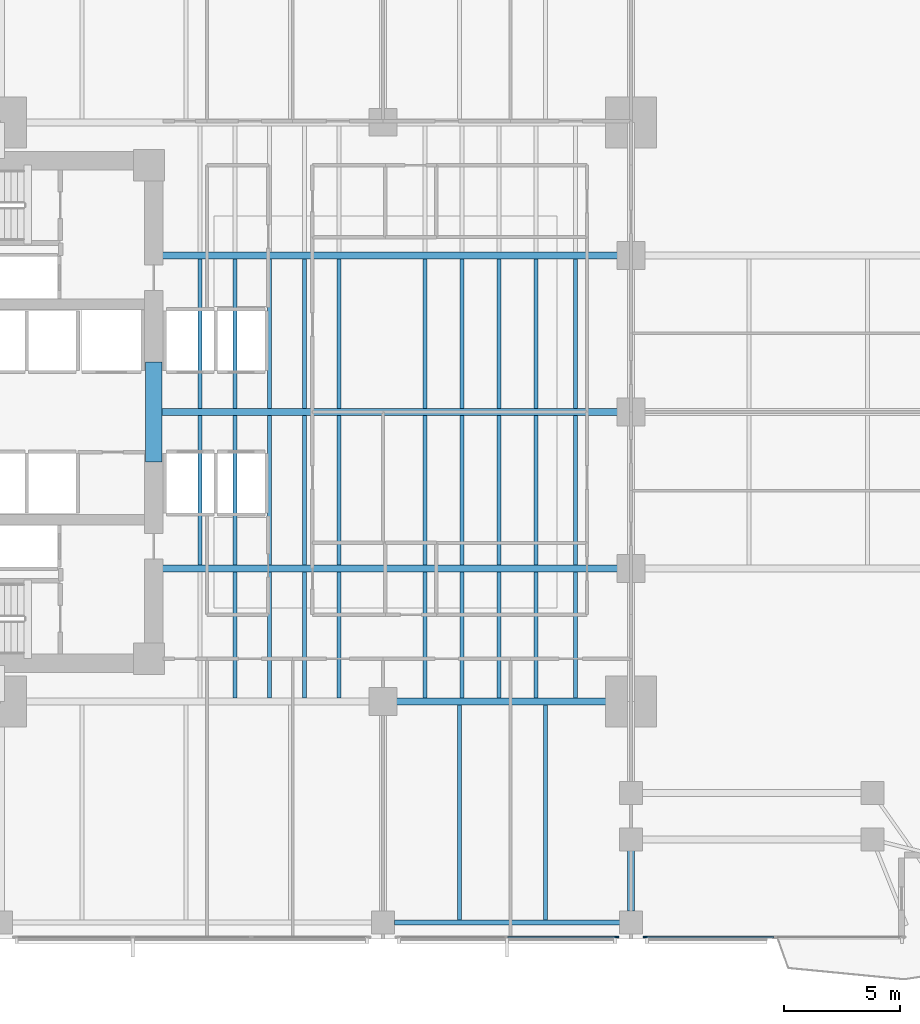
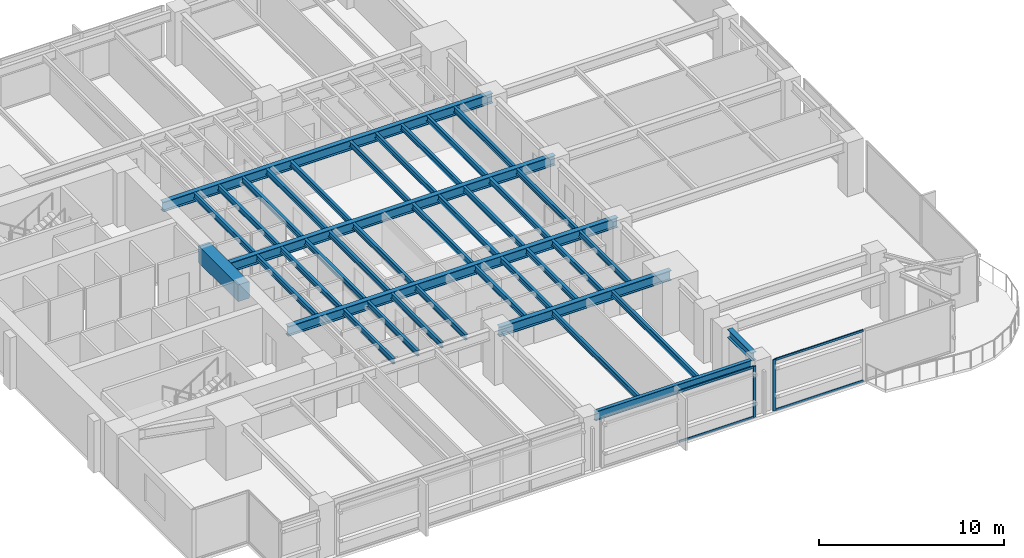
# One storey, part 3 of 15: 38 beams, 6 members, 2 elements without a shape of their own.
"""IFC4 building model written with IfcOpenShell, lengths in metres."""

from ifc_helpers import new_model, si_unit, direction, frame, origin, origin_2d, place, context, subcontext, project, spatial, rectangle, i_section, extrude, material, layer, layer_set, material_profile, profile_set, type_object, element, aggregate, save


model = new_model("IFC4")

# Units and contexts
model_context = context("Model", 3, precision=1e-05, world=origin(), true_north=direction((0.0, 1.0)))
body_context = subcontext(model_context, "Body", "Model", "MODEL_VIEW")
ifc_project = project(units=[si_unit("LENGTHUNIT", "METRE"), si_unit("AREAUNIT", "SQUARE_METRE"), si_unit("VOLUMEUNIT", "CUBIC_METRE"), si_unit("PLANEANGLEUNIT", "RADIAN"), si_unit("MASSUNIT", "GRAM", prefix="KILO")], contexts=[model_context])

# Site, building, storey
site_placement = place(None, origin())
site = spatial("IfcSite", under=ifc_project, at=site_placement, CompositionType="ELEMENT")
building_placement = place(site_placement, origin())
building = spatial("IfcBuilding", under=site, at=building_placement, Name="Kinhvarn Gate Tower", CompositionType="ELEMENT")
storey_placement = place(building_placement, frame((0.0, 0.0, 61.10009765625)))
storey = spatial("IfcBuildingStorey", under=building, at=storey_placement, Name="L15", CompositionType="ELEMENT", Elevation=61.10009765625)

# Beam
ifc_material_1 = material(Name="Concrete C70/85", Category="concrete")
ifc_material_profile_1 = material_profile(ifc_material_1, rectangle(XDim=0.699951171875, YDim=1.10009765625, at=origin_2d()), Name="RC 700x1100")
ifc_profile_set_1 = profile_set([ifc_material_profile_1], Name="Concrete C70/85")
beam_type_1 = type_object("IfcBeamType", Name="BM-CB-1100", PredefinedType="LINTEL", material=ifc_profile_set_1)
beam_1_placement = place(storey_placement, frame((17.60009765625, 23.10009765625, 2.81982421875), z_axis=(0.0, 1.0, 0.0), x_axis=(-1.0, 0.0, 0.0)))
element("IfcBeam", 1, at=beam_1_placement, inside=storey, type_object=beam_type_1, Name="Core East Portal Coupling Beam L15", PredefinedType="LINTEL", context=body_context, shape_type="SweptSolid", body=[
    extrude(rectangle(XDim=0.699951171875, YDim=1.10009765625, at=origin_2d()), origin(), (0.0, 0.0, 1.0), 4.2998046875),
])

# Curtain wall, member
ifc_material_2 = material(Name="Anodised aluminium AW-6063", Category="aluminium")
ifc_layer = layer(ifc_material_2, 0.179931640625)
ifc_layer_set = layer_set([ifc_layer], Name="Anodised aluminium AW-6063")
curtain_wall_type = type_object("IfcCurtainWallType", Name="CW-SYS-2", PredefinedType="NOTDEFINED", material=ifc_layer_set)
curtain_wall_1_placement = place(storey_placement, origin())
curtain_wall_1 = element("IfcCurtainWall", 2, at=curtain_wall_1_placement, inside=storey, type_object=curtain_wall_type, Name="Curtain Wall CW2 (L15)", PredefinedType="NOTDEFINED")
ifc_material_profile_2 = material_profile(ifc_material_2, rectangle(XDim=0.070068359375, YDim=0.179931640625, at=origin_2d()), Name="ALU 70x180")
ifc_profile_set_2 = profile_set([ifc_material_profile_2], Name="Anodised aluminium AW-6063")
member_type_1 = type_object("IfcMemberType", Name="CW-MUL-180", PredefinedType="MULLION", material=ifc_profile_set_2)
member_1_placement = place(storey_placement, frame((37.5849609375, 2.590087890625, 0.0), z_axis=(0.0, 0.0, 1.0), x_axis=(0.0, 1.0, 0.0)))
member_1 = element("IfcMember", 3, at=member_1_placement, type_object=member_type_1, Name="CW2 mullion 3", PredefinedType="MULLION", context=body_context, shape_type="SweptSolid", body=[
    extrude(rectangle(XDim=0.070068359375, YDim=0.179931640625, at=origin_2d()), origin(), (0.0, 0.0, 1.0), 3.369873046875),
])

curtain_wall_2_placement = place(storey_placement, origin())
curtain_wall_2 = element("IfcCurtainWall", 4, at=curtain_wall_2_placement, inside=storey, type_object=curtain_wall_type, Name="Curtain Wall CW2 (L15)", PredefinedType="NOTDEFINED")
member_2_placement = place(storey_placement, frame((38.81494140625, 2.590087890625, 0.0), z_axis=(0.0, 0.0, 1.0), x_axis=(0.0, 1.0, 0.0)))
member_2 = element("IfcMember", 5, at=member_2_placement, type_object=member_type_1, Name="CW2 mullion 1", PredefinedType="MULLION", context=body_context, shape_type="SweptSolid", body=[
    extrude(rectangle(XDim=0.070068359375, YDim=0.179931640625, at=origin_2d()), origin(), (0.0, 0.0, 1.0), 3.369873046875),
])

# Member
ifc_material_profile_3 = material_profile(ifc_material_2, rectangle(XDim=0.070068359375, YDim=0.139892578125, at=origin_2d()), Name="ALU 70x140")
ifc_profile_set_3 = profile_set([ifc_material_profile_3], Name="Anodised aluminium AW-6063")
member_type_2 = type_object("IfcMemberType", Name="CW-TRN-140", PredefinedType="USERDEFINED", material=ifc_profile_set_3)
member_3_placement = place(storey_placement, frame((32.885009765625, 2.590087890625, 0.034912109375), z_axis=(1.0, 0.0, 0.0), x_axis=(0.0, 1.0, 0.0)))
member_3 = element("IfcMember", 6, at=member_3_placement, type_object=member_type_2, Name="CW2 transom 2.1", ObjectType="TRANSOM", PredefinedType="USERDEFINED", context=body_context, shape_type="SweptSolid", body=[
    extrude(rectangle(XDim=0.070068359375, YDim=0.139892578125, at=origin_2d()), origin(), (0.0, 0.0, 1.0), 4.6650390625),
])

member_4_placement = place(storey_placement, frame((32.885009765625, 2.590087890625, 3.3349609375), z_axis=(1.0, 0.0, 0.0), x_axis=(0.0, 1.0, 0.0)))
member_4 = element("IfcMember", 7, at=member_4_placement, type_object=member_type_2, Name="CW2 transom 2.2", ObjectType="TRANSOM", PredefinedType="USERDEFINED", context=body_context, shape_type="SweptSolid", body=[
    extrude(rectangle(XDim=0.070068359375, YDim=0.139892578125, at=origin_2d()), origin(), (0.0, 0.0, 1.0), 4.6650390625),
])

aggregate(curtain_wall_1, [member_1, member_3, member_4])

member_5_placement = place(storey_placement, frame((38.85009765625, 2.590087890625, 0.034912109375), z_axis=(1.0, 0.0, 0.0), x_axis=(0.0, 1.0, 0.0)))
member_5 = element("IfcMember", 8, at=member_5_placement, type_object=member_type_2, Name="CW2 transom 1.1", ObjectType="TRANSOM", PredefinedType="USERDEFINED", context=body_context, shape_type="SweptSolid", body=[
    extrude(rectangle(XDim=0.070068359375, YDim=0.139892578125, at=origin_2d()), origin(), (0.0, 0.0, 1.0), 5.5048828125),
])

member_6_placement = place(storey_placement, frame((38.85009765625, 2.590087890625, 3.3349609375), z_axis=(1.0, 0.0, 0.0), x_axis=(0.0, 1.0, 0.0)))
member_6 = element("IfcMember", 9, at=member_6_placement, type_object=member_type_2, Name="CW2 transom 1.2", ObjectType="TRANSOM", PredefinedType="USERDEFINED", context=body_context, shape_type="SweptSolid", body=[
    extrude(rectangle(XDim=0.070068359375, YDim=0.139892578125, at=origin_2d()), origin(), (0.0, 0.0, 1.0), 5.5048828125),
])

aggregate(curtain_wall_2, [member_2, member_5, member_6])

# Beams
ifc_material_3 = material(Name="Steel S355", Category="steel")
ifc_material_profile_4 = material_profile(ifc_material_3, i_section(OverallWidth=0.300048828125, OverallDepth=0.550048828125, WebThickness=0.014892578125, FlangeThickness=0.029052734375, at=origin_2d()), Name="HEB 550")
ifc_profile_set_4 = profile_set([ifc_material_profile_4], Name="Steel S355")
beam_type_2 = type_object("IfcBeamType", Name="STL-HEB550", PredefinedType="BEAM", material=ifc_profile_set_4)
beam_2_placement = place(storey_placement, frame((38.199951171875, 3.705078125, 3.094970703125), z_axis=(0.0, 1.0, 0.0), x_axis=(-1.0, 0.0, 0.0)))
element("IfcBeam", 10, at=beam_2_placement, inside=storey, type_object=beam_type_2, Name="Floor Beam PG-15 (L15 MCE-S-A0)", PredefinedType="BEAM", context=body_context, shape_type="SweptSolid", body=[
    extrude(i_section(OverallWidth=0.300048828125, OverallDepth=0.550048828125, WebThickness=0.014892578125, FlangeThickness=0.029052734375, at=origin_2d()), origin(), (0.0, 0.0, 1.0), 2.60986328125),
])
ifc_material_profile_5 = material_profile(ifc_material_3, i_section(OverallWidth=0.300048828125, OverallDepth=0.64990234375, WebThickness=0.01611328125, FlangeThickness=0.031005859375, at=origin_2d()), Name="HEB 650")
ifc_profile_set_5 = profile_set([ifc_material_profile_5], Name="Steel S355")
beam_type_3 = type_object("IfcBeamType", Name="STL-HEB650", PredefinedType="BEAM", material=ifc_profile_set_5)
beam_3_placement = place(storey_placement, frame((27.5, 12.75, 3.044921875), z_axis=(1.0, 0.0, 0.0), x_axis=(0.0, 1.0, 0.0)))
element("IfcBeam", 11, at=beam_3_placement, inside=storey, type_object=beam_type_3, Name="Floor Beam PG-17 (L15 MG-S2)", PredefinedType="BEAM", context=body_context, shape_type="SweptSolid", body=[
    extrude(i_section(OverallWidth=0.300048828125, OverallDepth=0.64990234375, WebThickness=0.01611328125, FlangeThickness=0.031005859375, at=origin_2d()), origin(), (0.0, 0.0, 1.0), 10.699951171875),
])
beam_4_placement = place(storey_placement, frame((17.64990234375, 18.5, 3.044921875), z_axis=(1.0, 0.0, 0.0), x_axis=(0.0, 1.0, 0.0)))
element("IfcBeam", 12, at=beam_4_placement, inside=storey, type_object=beam_type_3, Name="Floor Beam PG-17 (L15 EW1-Y18)", PredefinedType="BEAM", context=body_context, shape_type="SweptSolid", body=[
    extrude(i_section(OverallWidth=0.300048828125, OverallDepth=0.64990234375, WebThickness=0.01611328125, FlangeThickness=0.031005859375, at=origin_2d()), origin(), (0.0, 0.0, 1.0), 20.550048828125),
])
beam_5_placement = place(storey_placement, frame((17.949951171875, 25.25, 3.044921875), z_axis=(1.0, 0.0, 0.0), x_axis=(0.0, 1.0, 0.0)))
element("IfcBeam", 13, at=beam_5_placement, inside=storey, type_object=beam_type_3, Name="Floor Beam PG-17 (L15 EW1-Y25)", PredefinedType="BEAM", context=body_context, shape_type="SweptSolid", body=[
    extrude(i_section(OverallWidth=0.300048828125, OverallDepth=0.64990234375, WebThickness=0.01611328125, FlangeThickness=0.031005859375, at=origin_2d()), origin(), (0.0, 0.0, 1.0), 20.25),
])
beam_6_placement = place(storey_placement, frame((17.64990234375, 32.0, 3.044921875), z_axis=(1.0, 0.0, 0.0), x_axis=(0.0, 1.0, 0.0)))
element("IfcBeam", 14, at=beam_6_placement, inside=storey, type_object=beam_type_3, Name="Floor Beam PG-17 (L15 EW1-Y32)", PredefinedType="BEAM", context=body_context, shape_type="SweptSolid", body=[
    extrude(i_section(OverallWidth=0.300048828125, OverallDepth=0.64990234375, WebThickness=0.01611328125, FlangeThickness=0.031005859375, at=origin_2d()), origin(), (0.0, 0.0, 1.0), 20.550048828125),
])
ifc_material_profile_6 = material_profile(ifc_material_3, i_section(OverallWidth=0.169921875, OverallDepth=0.360107421875, WebThickness=0.008056640625, FlangeThickness=0.0126953125, at=origin_2d()), Name="IPE 360")
ifc_profile_set_6 = profile_set([ifc_material_profile_6], Name="Steel S355")
beam_type_4 = type_object("IfcBeamType", Name="STL-IPE360", PredefinedType="JOIST", material=ifc_profile_set_6)
for number, where, z_axis, x_axis, name in (
    (15, (19.60009765625, 18.64990234375, 3.18994140625), (0.0, 1.0, 0.0), (-1.0, 0.0, 0.0), "Floor Joist SB-04 (L15 JC-X196-1)"),
    (16, (19.60009765625, 25.39990234375, 3.18994140625), (0.0, 1.0, 0.0), (-1.0, 0.0, 0.0), "Floor Joist SB-04 (L15 JC-X196-2)"),
):
    element("IfcBeam", number, at=place(storey_placement, frame(where, z_axis=z_axis, x_axis=x_axis)), inside=storey, type_object=beam_type_4, Name=name, PredefinedType="JOIST", context=body_context, shape_type="SweptSolid", body=[
        extrude(i_section(OverallWidth=0.169921875, OverallDepth=0.360107421875, WebThickness=0.008056640625, FlangeThickness=0.0126953125, at=origin_2d()), origin(), (0.0, 0.0, 1.0), 6.4501953125),
    ])
beam_7_placement = place(storey_placement, frame((21.10009765625, 12.89990234375, 3.18994140625), z_axis=(0.0, 1.0, 0.0), x_axis=(-1.0, 0.0, 0.0)))
element("IfcBeam", 17, at=beam_7_placement, inside=storey, type_object=beam_type_4, Name="Floor Joist SB-04 (L15 JC-X211-0)", PredefinedType="JOIST", context=body_context, shape_type="SweptSolid", body=[
    extrude(i_section(OverallWidth=0.169921875, OverallDepth=0.360107421875, WebThickness=0.008056640625, FlangeThickness=0.0126953125, at=origin_2d()), origin(), (0.0, 0.0, 1.0), 5.4501953125),
])
for number, where, z_axis, x_axis, name in (
    (18, (21.10009765625, 18.64990234375, 3.18994140625), (0.0, 1.0, 0.0), (-1.0, 0.0, 0.0), "Floor Joist SB-04 (L15 JC-X211-1)"),
    (19, (21.10009765625, 25.39990234375, 3.18994140625), (0.0, 1.0, 0.0), (-1.0, 0.0, 0.0), "Floor Joist SB-04 (L15 JC-X211-2)"),
):
    element("IfcBeam", number, at=place(storey_placement, frame(where, z_axis=z_axis, x_axis=x_axis)), inside=storey, type_object=beam_type_4, Name=name, PredefinedType="JOIST", context=body_context, shape_type="SweptSolid", body=[
        extrude(i_section(OverallWidth=0.169921875, OverallDepth=0.360107421875, WebThickness=0.008056640625, FlangeThickness=0.0126953125, at=origin_2d()), origin(), (0.0, 0.0, 1.0), 6.4501953125),
    ])
beam_8_placement = place(storey_placement, frame((22.60009765625, 12.89990234375, 3.18994140625), z_axis=(0.0, 1.0, 0.0), x_axis=(-1.0, 0.0, 0.0)))
element("IfcBeam", 20, at=beam_8_placement, inside=storey, type_object=beam_type_4, Name="Floor Joist SB-04 (L15 JC-X226-0)", PredefinedType="JOIST", context=body_context, shape_type="SweptSolid", body=[
    extrude(i_section(OverallWidth=0.169921875, OverallDepth=0.360107421875, WebThickness=0.008056640625, FlangeThickness=0.0126953125, at=origin_2d()), origin(), (0.0, 0.0, 1.0), 5.4501953125),
])
for number, where, z_axis, x_axis, name in (
    (21, (22.60009765625, 18.64990234375, 3.18994140625), (0.0, 1.0, 0.0), (-1.0, 0.0, 0.0), "Floor Joist SB-04 (L15 JC-X226-1)"),
    (22, (22.60009765625, 25.39990234375, 3.18994140625), (0.0, 1.0, 0.0), (-1.0, 0.0, 0.0), "Floor Joist SB-04 (L15 JC-X226-2)"),
):
    element("IfcBeam", number, at=place(storey_placement, frame(where, z_axis=z_axis, x_axis=x_axis)), inside=storey, type_object=beam_type_4, Name=name, PredefinedType="JOIST", context=body_context, shape_type="SweptSolid", body=[
        extrude(i_section(OverallWidth=0.169921875, OverallDepth=0.360107421875, WebThickness=0.008056640625, FlangeThickness=0.0126953125, at=origin_2d()), origin(), (0.0, 0.0, 1.0), 6.4501953125),
    ])
beam_9_placement = place(storey_placement, frame((24.10009765625, 12.89990234375, 3.18994140625), z_axis=(0.0, 1.0, 0.0), x_axis=(-1.0, 0.0, 0.0)))
element("IfcBeam", 23, at=beam_9_placement, inside=storey, type_object=beam_type_4, Name="Floor Joist SB-04 (L15 JC-X241-0)", PredefinedType="JOIST", context=body_context, shape_type="SweptSolid", body=[
    extrude(i_section(OverallWidth=0.169921875, OverallDepth=0.360107421875, WebThickness=0.008056640625, FlangeThickness=0.0126953125, at=origin_2d()), origin(), (0.0, 0.0, 1.0), 5.4501953125),
])
for number, where, z_axis, x_axis, name in (
    (24, (24.10009765625, 18.64990234375, 3.18994140625), (0.0, 1.0, 0.0), (-1.0, 0.0, 0.0), "Floor Joist SB-04 (L15 JC-X241-1)"),
    (25, (24.10009765625, 25.39990234375, 3.18994140625), (0.0, 1.0, 0.0), (-1.0, 0.0, 0.0), "Floor Joist SB-04 (L15 JC-X241-2)"),
):
    element("IfcBeam", number, at=place(storey_placement, frame(where, z_axis=z_axis, x_axis=x_axis)), inside=storey, type_object=beam_type_4, Name=name, PredefinedType="JOIST", context=body_context, shape_type="SweptSolid", body=[
        extrude(i_section(OverallWidth=0.169921875, OverallDepth=0.360107421875, WebThickness=0.008056640625, FlangeThickness=0.0126953125, at=origin_2d()), origin(), (0.0, 0.0, 1.0), 6.4501953125),
    ])
beam_10_placement = place(storey_placement, frame((25.60009765625, 12.89990234375, 3.18994140625), z_axis=(0.0, 1.0, 0.0), x_axis=(-1.0, 0.0, 0.0)))
element("IfcBeam", 26, at=beam_10_placement, inside=storey, type_object=beam_type_4, Name="Floor Joist SB-04 (L15 JC-X256-0)", PredefinedType="JOIST", context=body_context, shape_type="SweptSolid", body=[
    extrude(i_section(OverallWidth=0.169921875, OverallDepth=0.360107421875, WebThickness=0.008056640625, FlangeThickness=0.0126953125, at=origin_2d()), origin(), (0.0, 0.0, 1.0), 5.4501953125),
])
for number, where, z_axis, x_axis, name in (
    (27, (25.60009765625, 18.64990234375, 3.18994140625), (0.0, 1.0, 0.0), (-1.0, 0.0, 0.0), "Floor Joist SB-04 (L15 JC-X256-1)"),
    (28, (25.60009765625, 25.39990234375, 3.18994140625), (0.0, 1.0, 0.0), (-1.0, 0.0, 0.0), "Floor Joist SB-04 (L15 JC-X256-2)"),
):
    element("IfcBeam", number, at=place(storey_placement, frame(where, z_axis=z_axis, x_axis=x_axis)), inside=storey, type_object=beam_type_4, Name=name, PredefinedType="JOIST", context=body_context, shape_type="SweptSolid", body=[
        extrude(i_section(OverallWidth=0.169921875, OverallDepth=0.360107421875, WebThickness=0.008056640625, FlangeThickness=0.0126953125, at=origin_2d()), origin(), (0.0, 0.0, 1.0), 6.4501953125),
    ])
beam_11_placement = place(storey_placement, frame((29.300048828125, 12.89990234375, 3.18994140625), z_axis=(0.0, 1.0, 0.0), x_axis=(-1.0, 0.0, 0.0)))
element("IfcBeam", 29, at=beam_11_placement, inside=storey, type_object=beam_type_4, Name="Floor Joist SB-04 (L15 JC-X293-0)", PredefinedType="JOIST", context=body_context, shape_type="SweptSolid", body=[
    extrude(i_section(OverallWidth=0.169921875, OverallDepth=0.360107421875, WebThickness=0.008056640625, FlangeThickness=0.0126953125, at=origin_2d()), origin(), (0.0, 0.0, 1.0), 5.4501953125),
])
for number, where, z_axis, x_axis, name in (
    (30, (29.300048828125, 18.64990234375, 3.18994140625), (0.0, 1.0, 0.0), (-1.0, 0.0, 0.0), "Floor Joist SB-04 (L15 JC-X293-1)"),
    (31, (29.300048828125, 25.39990234375, 3.18994140625), (0.0, 1.0, 0.0), (-1.0, 0.0, 0.0), "Floor Joist SB-04 (L15 JC-X293-2)"),
):
    element("IfcBeam", number, at=place(storey_placement, frame(where, z_axis=z_axis, x_axis=x_axis)), inside=storey, type_object=beam_type_4, Name=name, PredefinedType="JOIST", context=body_context, shape_type="SweptSolid", body=[
        extrude(i_section(OverallWidth=0.169921875, OverallDepth=0.360107421875, WebThickness=0.008056640625, FlangeThickness=0.0126953125, at=origin_2d()), origin(), (0.0, 0.0, 1.0), 6.4501953125),
    ])
beam_12_placement = place(storey_placement, frame((30.89990234375, 12.89990234375, 3.18994140625), z_axis=(0.0, 1.0, 0.0), x_axis=(-1.0, 0.0, 0.0)))
element("IfcBeam", 32, at=beam_12_placement, inside=storey, type_object=beam_type_4, Name="Floor Joist SB-04 (L15 JC-X309-0)", PredefinedType="JOIST", context=body_context, shape_type="SweptSolid", body=[
    extrude(i_section(OverallWidth=0.169921875, OverallDepth=0.360107421875, WebThickness=0.008056640625, FlangeThickness=0.0126953125, at=origin_2d()), origin(), (0.0, 0.0, 1.0), 5.4501953125),
])
for number, where, z_axis, x_axis, name in (
    (33, (30.89990234375, 18.64990234375, 3.18994140625), (0.0, 1.0, 0.0), (-1.0, 0.0, 0.0), "Floor Joist SB-04 (L15 JC-X309-1)"),
    (34, (30.89990234375, 25.39990234375, 3.18994140625), (0.0, 1.0, 0.0), (-1.0, 0.0, 0.0), "Floor Joist SB-04 (L15 JC-X309-2)"),
):
    element("IfcBeam", number, at=place(storey_placement, frame(where, z_axis=z_axis, x_axis=x_axis)), inside=storey, type_object=beam_type_4, Name=name, PredefinedType="JOIST", context=body_context, shape_type="SweptSolid", body=[
        extrude(i_section(OverallWidth=0.169921875, OverallDepth=0.360107421875, WebThickness=0.008056640625, FlangeThickness=0.0126953125, at=origin_2d()), origin(), (0.0, 0.0, 1.0), 6.4501953125),
    ])
beam_13_placement = place(storey_placement, frame((32.5, 12.89990234375, 3.18994140625), z_axis=(0.0, 1.0, 0.0), x_axis=(-1.0, 0.0, 0.0)))
element("IfcBeam", 35, at=beam_13_placement, inside=storey, type_object=beam_type_4, Name="Floor Joist SB-04 (L15 JC-X325-0)", PredefinedType="JOIST", context=body_context, shape_type="SweptSolid", body=[
    extrude(i_section(OverallWidth=0.169921875, OverallDepth=0.360107421875, WebThickness=0.008056640625, FlangeThickness=0.0126953125, at=origin_2d()), origin(), (0.0, 0.0, 1.0), 5.4501953125),
])
for number, where, z_axis, x_axis, name in (
    (36, (32.5, 18.64990234375, 3.18994140625), (0.0, 1.0, 0.0), (-1.0, 0.0, 0.0), "Floor Joist SB-04 (L15 JC-X325-1)"),
    (37, (32.5, 25.39990234375, 3.18994140625), (0.0, 1.0, 0.0), (-1.0, 0.0, 0.0), "Floor Joist SB-04 (L15 JC-X325-2)"),
):
    element("IfcBeam", number, at=place(storey_placement, frame(where, z_axis=z_axis, x_axis=x_axis)), inside=storey, type_object=beam_type_4, Name=name, PredefinedType="JOIST", context=body_context, shape_type="SweptSolid", body=[
        extrude(i_section(OverallWidth=0.169921875, OverallDepth=0.360107421875, WebThickness=0.008056640625, FlangeThickness=0.0126953125, at=origin_2d()), origin(), (0.0, 0.0, 1.0), 6.4501953125),
    ])
beam_14_placement = place(storey_placement, frame((34.10009765625, 12.89990234375, 3.18994140625), z_axis=(0.0, 1.0, 0.0), x_axis=(-1.0, 0.0, 0.0)))
element("IfcBeam", 38, at=beam_14_placement, inside=storey, type_object=beam_type_4, Name="Floor Joist SB-04 (L15 JC-X341-0)", PredefinedType="JOIST", context=body_context, shape_type="SweptSolid", body=[
    extrude(i_section(OverallWidth=0.169921875, OverallDepth=0.360107421875, WebThickness=0.008056640625, FlangeThickness=0.0126953125, at=origin_2d()), origin(), (0.0, 0.0, 1.0), 5.4501953125),
])
for number, where, z_axis, x_axis, name in (
    (39, (34.10009765625, 18.64990234375, 3.18994140625), (0.0, 1.0, 0.0), (-1.0, 0.0, 0.0), "Floor Joist SB-04 (L15 JC-X341-1)"),
    (40, (34.10009765625, 25.39990234375, 3.18994140625), (0.0, 1.0, 0.0), (-1.0, 0.0, 0.0), "Floor Joist SB-04 (L15 JC-X341-2)"),
):
    element("IfcBeam", number, at=place(storey_placement, frame(where, z_axis=z_axis, x_axis=x_axis)), inside=storey, type_object=beam_type_4, Name=name, PredefinedType="JOIST", context=body_context, shape_type="SweptSolid", body=[
        extrude(i_section(OverallWidth=0.169921875, OverallDepth=0.360107421875, WebThickness=0.008056640625, FlangeThickness=0.0126953125, at=origin_2d()), origin(), (0.0, 0.0, 1.0), 6.4501953125),
    ])
beam_15_placement = place(storey_placement, frame((35.800048828125, 12.89990234375, 3.18994140625), z_axis=(0.0, 1.0, 0.0), x_axis=(-1.0, 0.0, 0.0)))
element("IfcBeam", 41, at=beam_15_placement, inside=storey, type_object=beam_type_4, Name="Floor Joist SB-04 (L15 JC-X358-0)", PredefinedType="JOIST", context=body_context, shape_type="SweptSolid", body=[
    extrude(i_section(OverallWidth=0.169921875, OverallDepth=0.360107421875, WebThickness=0.008056640625, FlangeThickness=0.0126953125, at=origin_2d()), origin(), (0.0, 0.0, 1.0), 5.4501953125),
])
for number, where, z_axis, x_axis, name in (
    (42, (35.800048828125, 18.64990234375, 3.18994140625), (0.0, 1.0, 0.0), (-1.0, 0.0, 0.0), "Floor Joist SB-04 (L15 JC-X358-1)"),
    (43, (35.800048828125, 25.39990234375, 3.18994140625), (0.0, 1.0, 0.0), (-1.0, 0.0, 0.0), "Floor Joist SB-04 (L15 JC-X358-2)"),
):
    element("IfcBeam", number, at=place(storey_placement, frame(where, z_axis=z_axis, x_axis=x_axis)), inside=storey, type_object=beam_type_4, Name=name, PredefinedType="JOIST", context=body_context, shape_type="SweptSolid", body=[
        extrude(i_section(OverallWidth=0.169921875, OverallDepth=0.360107421875, WebThickness=0.008056640625, FlangeThickness=0.0126953125, at=origin_2d()), origin(), (0.0, 0.0, 1.0), 6.4501953125),
    ])
for number, where, z_axis, x_axis, name in (
    (44, (30.800048828125, 3.330078125, 3.18994140625), (0.0, 1.0, 0.0), (-1.0, 0.0, 0.0), "Floor Joist SB-04 (L15 JS-X308)"),
    (45, (34.5, 3.330078125, 3.18994140625), (0.0, 1.0, 0.0), (-1.0, 0.0, 0.0), "Floor Joist SB-04 (L15 JS-X345)"),
):
    element("IfcBeam", number, at=place(storey_placement, frame(where, z_axis=z_axis, x_axis=x_axis)), inside=storey, type_object=beam_type_4, Name=name, PredefinedType="JOIST", context=body_context, shape_type="SweptSolid", body=[
        extrude(i_section(OverallWidth=0.169921875, OverallDepth=0.360107421875, WebThickness=0.008056640625, FlangeThickness=0.0126953125, at=origin_2d()), origin(), (0.0, 0.0, 1.0), 9.27001953125),
    ])
ifc_material_profile_7 = material_profile(ifc_material_3, i_section(OverallWidth=0.219970703125, OverallDepth=0.60009765625, WebThickness=0.011962890625, FlangeThickness=0.01904296875, at=origin_2d()), Name="IPE 600")
ifc_profile_set_7 = profile_set([ifc_material_profile_7], Name="Steel S355")
beam_type_5 = type_object("IfcBeamType", Name="STL-IPE600", PredefinedType="SPANDREL", material=ifc_profile_set_7)
beam_16_placement = place(storey_placement, frame((27.985107421875, 3.219970703125, 3.06982421875), z_axis=(1.0, 0.0, 0.0), x_axis=(0.0, 1.0, 0.0)))
element("IfcBeam", 46, at=beam_16_placement, inside=storey, type_object=beam_type_5, Name="Floor Spandrel SB-09 (L15 SP-S2)", PredefinedType="SPANDREL", context=body_context, shape_type="SweptSolid", body=[
    extrude(i_section(OverallWidth=0.219970703125, OverallDepth=0.60009765625, WebThickness=0.011962890625, FlangeThickness=0.01904296875, at=origin_2d()), origin(), (0.0, 0.0, 1.0), 9.72998046875),
])

save(model, "model.ifc")
